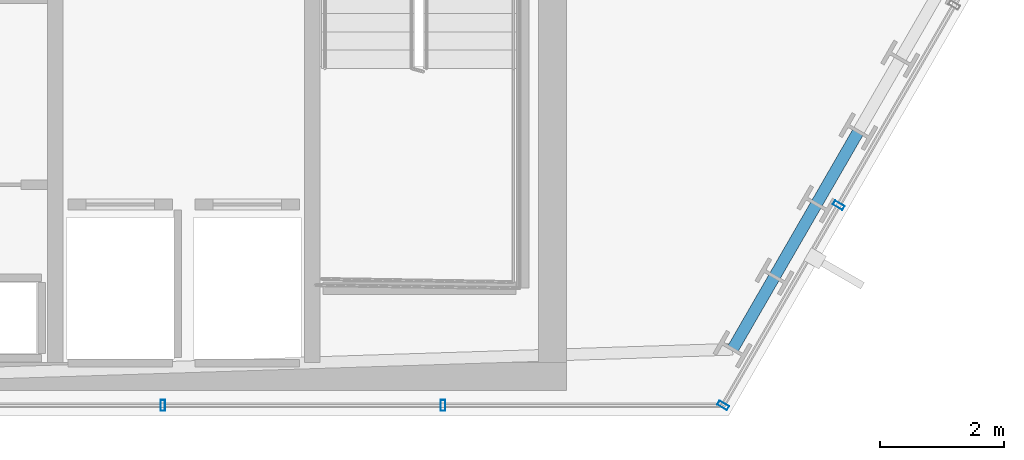
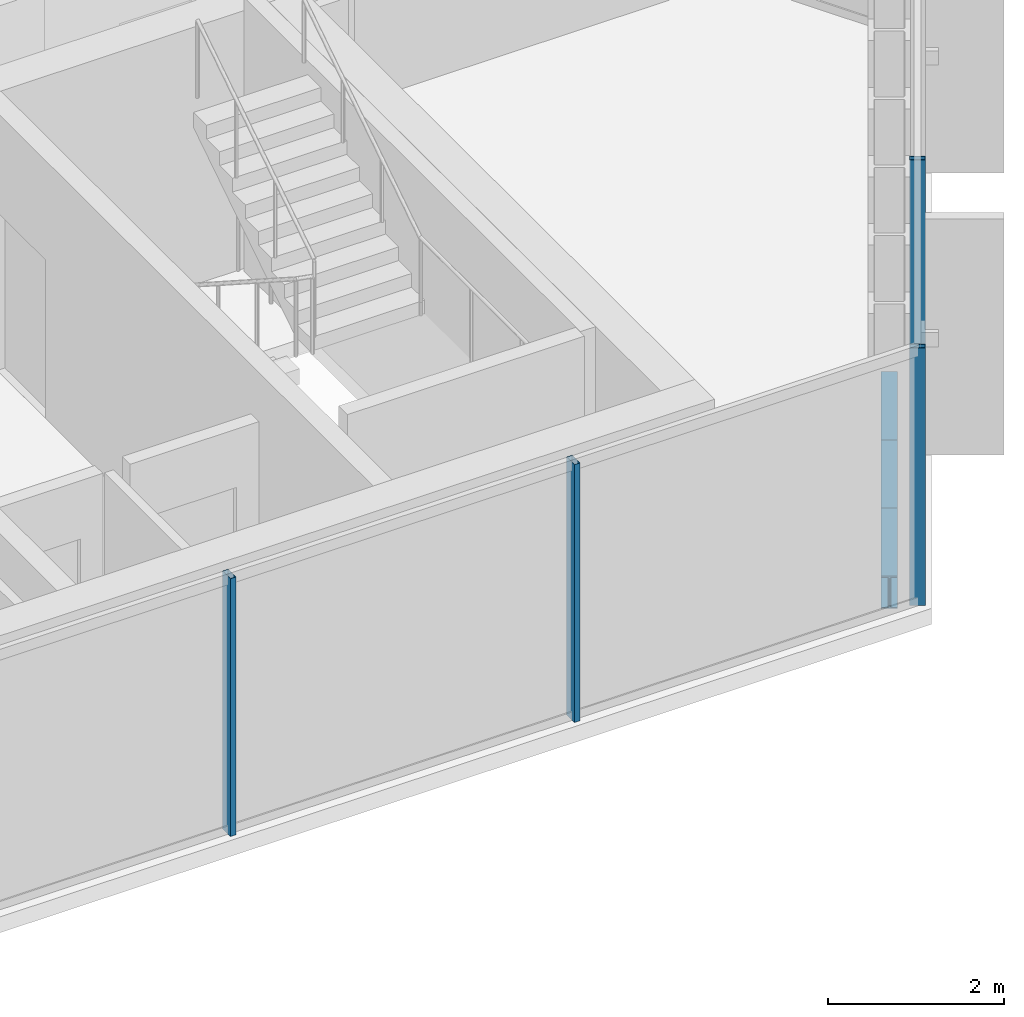
# One storey, part 16 of 33: 4 members, 3 beams, 2 elements without a shape of their own.
"""IFC4 building model written with IfcOpenShell, lengths in metres."""

from ifc_helpers import new_model, si_unit, direction, frame, origin, origin_2d, place, context, subcontext, project, spatial, hollow_rectangle, i_section, extrude, material, layer, layer_set, material_profile, profile_set, type_object, element, aggregate, save


model = new_model("IFC4")

# Units and contexts
model_context = context("Model", 3, precision=1e-05, world=origin(), true_north=direction((0.0, 1.0)))
body_context = subcontext(model_context, "Body", "Model", "MODEL_VIEW")
ifc_project = project(units=[si_unit("LENGTHUNIT", "METRE"), si_unit("AREAUNIT", "SQUARE_METRE"), si_unit("VOLUMEUNIT", "CUBIC_METRE"), si_unit("PLANEANGLEUNIT", "RADIAN"), si_unit("MASSUNIT", "GRAM", prefix="KILO")], contexts=[model_context])

# Site, building, storey
site_placement = place(None, origin())
site = spatial("IfcSite", under=ifc_project, at=site_placement, CompositionType="ELEMENT")
building_placement = place(site_placement, origin())
building = spatial("IfcBuilding", under=site, at=building_placement, Name="Ndaravel Arena Tower", CompositionType="ELEMENT")
storey_placement = place(building_placement, frame((0.0, 0.0, 149.800048828125)))
storey = spatial("IfcBuildingStorey", under=building, at=storey_placement, Name="L35", CompositionType="ELEMENT", Elevation=149.800048828125)

# Beams
ifc_material_1 = material(Name="Steel S355", Category="steel")
ifc_material_profile_1 = material_profile(ifc_material_1, i_section(OverallWidth=0.18994140625, OverallDepth=0.449951171875, WebThickness=0.009521484375, FlangeThickness=0.0146484375, FilletRadius=0.02099609375, at=origin_2d()), Name="IPE 450")
ifc_profile_set_1 = profile_set([ifc_material_profile_1], Name="Steel S355")
beam_type = type_object("IfcBeamType", Name="BM-SPAN-IPE450", PredefinedType="SPANDREL", material=ifc_profile_set_1)
for number, where, z_axis, x_axis, name in (
    (1, (60.22900390625, 6.065185546875, -0.445068359375), (0.499868360126, 0.866101392762, 0.0), (-0.866101392762, 0.499868360126, 0.0), "L35 Perimeter Spandrel Beam SP-02"),
    (2, (60.90478515625, 7.236083984375, -0.445068359375), (0.500082007311, 0.865978051664, 0.0), (-0.865978051664, 0.500082007311, 0.0), "L35 Perimeter Spandrel Beam SP-03"),
    (3, (61.580810546875, 8.40673828125, -0.445068359375), (0.49994655361, 0.866056258873, 0.0), (-0.866056258873, 0.49994655361, 0.0), "L35 Perimeter Spandrel Beam SP-04"),
):
    element("IfcBeam", number, at=place(storey_placement, frame(where, z_axis=z_axis, x_axis=x_axis)), inside=storey, type_object=beam_type, Name=name, PredefinedType="SPANDREL", context=body_context, shape_type="SweptSolid", body=[
        extrude(i_section(OverallWidth=0.18994140625, OverallDepth=0.449951171875, WebThickness=0.009521484375, FlangeThickness=0.0146484375, FilletRadius=0.02099609375, at=origin_2d()), origin(), (0.0, 0.0, 1.0), 1.351806640625),
    ])

# Curtain wall, members
ifc_material_2 = material(Name="Aluminium", Category="aluminium")
ifc_layer_1 = layer(ifc_material_2, 0.179931640625)
ifc_layer_set_1 = layer_set([ifc_layer_1], Name="Aluminium")
curtain_wall_type_1 = type_object("IfcCurtainWallType", Name="CW-SYS-03", PredefinedType="NOTDEFINED", material=ifc_layer_set_1)
curtain_wall_1_placement = place(storey_placement, origin())
curtain_wall_1 = element("IfcCurtainWall", 4, at=curtain_wall_1_placement, inside=storey, type_object=curtain_wall_type_1, Name="L35 Faceted Crystal Curtain Wall CW-L35-E01", PredefinedType="NOTDEFINED")
ifc_material_3 = material(Name="Aluminium", Category="aluminium")
ifc_material_profile_2 = material_profile(ifc_material_3, hollow_rectangle(XDim=0.074951171875, YDim=0.179931640625, WallThickness=0.00390625, at=origin_2d()), Name="CW MULLION 75x180x4")
ifc_profile_set_2 = profile_set([ifc_material_profile_2], Name="Aluminium")
member_type = type_object("IfcMemberType", Name="MEM-CW-MUL180", PredefinedType="MULLION", material=ifc_profile_set_2)
member_1_placement = place(storey_placement, frame((51.037841796875, 5.159912109375, 0.0), z_axis=(0.0, 0.0, 1.0), x_axis=(1.0, 0.0, 0.0)))
member_1 = element("IfcMember", 5, at=member_1_placement, type_object=member_type, Name="CW-L35-E01 Mullion 06", PredefinedType="MULLION", context=body_context, shape_type="SweptSolid", body=[
    extrude(hollow_rectangle(XDim=0.074951171875, YDim=0.179931640625, WallThickness=0.00390625, at=origin_2d()), origin(), (0.0, 0.0, 1.0), 3.579833984375),
])
member_2_placement = place(storey_placement, frame((55.556884765625, 5.159912109375, 0.0), z_axis=(0.0, 0.0, 1.0), x_axis=(1.0, 0.0, 0.0)))
member_2 = element("IfcMember", 6, at=member_2_placement, type_object=member_type, Name="CW-L35-E01 Mullion 07", PredefinedType="MULLION", context=body_context, shape_type="SweptSolid", body=[
    extrude(hollow_rectangle(XDim=0.074951171875, YDim=0.179931640625, WallThickness=0.00390625, at=origin_2d()), origin(), (0.0, 0.0, 1.0), 3.579833984375),
])
aggregate(curtain_wall_1, [member_1, member_2])

ifc_material_4 = material(Name="Aluminium", Category="aluminium")
ifc_layer_2 = layer(ifc_material_4, 0.179931640625)
ifc_layer_set_2 = layer_set([ifc_layer_2], Name="Aluminium")
curtain_wall_type_2 = type_object("IfcCurtainWallType", Name="CW-SYS-01", PredefinedType="NOTDEFINED", material=ifc_layer_set_2)
curtain_wall_2_placement = place(storey_placement, origin())
curtain_wall_2 = element("IfcCurtainWall", 7, at=curtain_wall_2_placement, inside=storey, type_object=curtain_wall_type_2, Name="L35 Faceted Crystal Curtain Wall CW-L35-E02", PredefinedType="NOTDEFINED")
member_3_placement = place(storey_placement, frame((60.07568359375, 5.159912109375, 0.0), z_axis=(0.0, 0.0, 1.0), x_axis=(0.5, 0.866025403784, 0.0)))
member_3 = element("IfcMember", 8, at=member_3_placement, type_object=member_type, Name="CW-L35-E02 Mullion 00", PredefinedType="MULLION", context=body_context, shape_type="SweptSolid", body=[
    extrude(hollow_rectangle(XDim=0.074951171875, YDim=0.179931640625, WallThickness=0.00390625, at=origin_2d()), origin(), (0.0, 0.0, 1.0), 3.579833984375),
])
member_4_placement = place(storey_placement, frame((61.939697265625, 8.388427734375, 0.0), z_axis=(0.0, 0.0, 1.0), x_axis=(0.5, 0.866025403784, 0.0)))
member_4 = element("IfcMember", 9, at=member_4_placement, type_object=member_type, Name="CW-L35-E02 Mullion 01", PredefinedType="MULLION", context=body_context, shape_type="SweptSolid", body=[
    extrude(hollow_rectangle(XDim=0.074951171875, YDim=0.179931640625, WallThickness=0.00390625, at=origin_2d()), origin(), (0.0, 0.0, 1.0), 3.579833984375),
])
aggregate(curtain_wall_2, [member_3, member_4])

save(model, "model.ifc")
